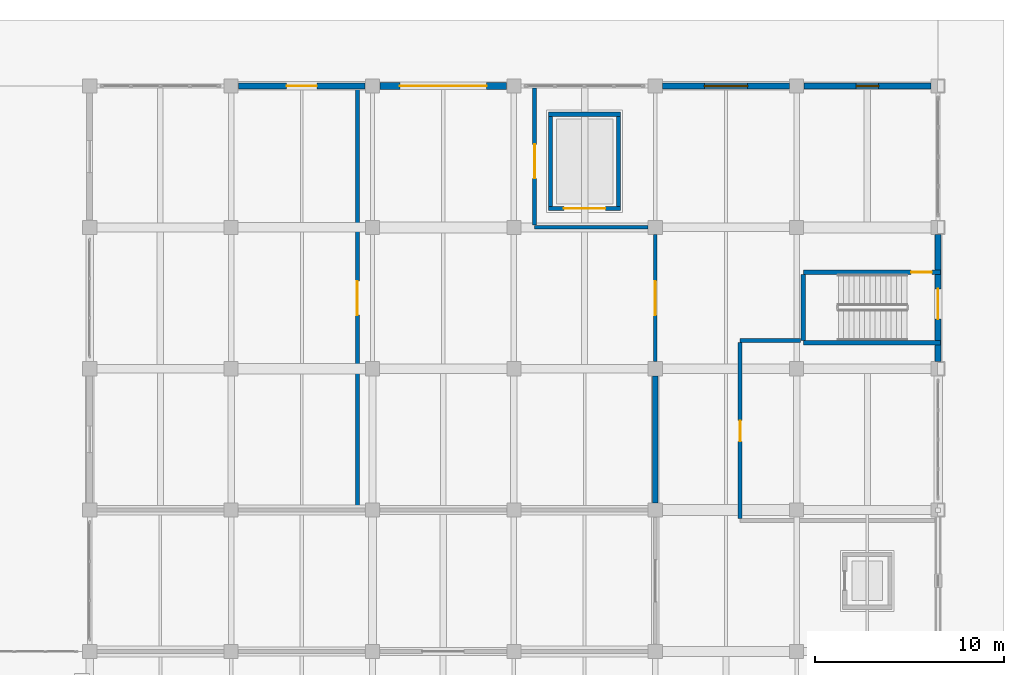
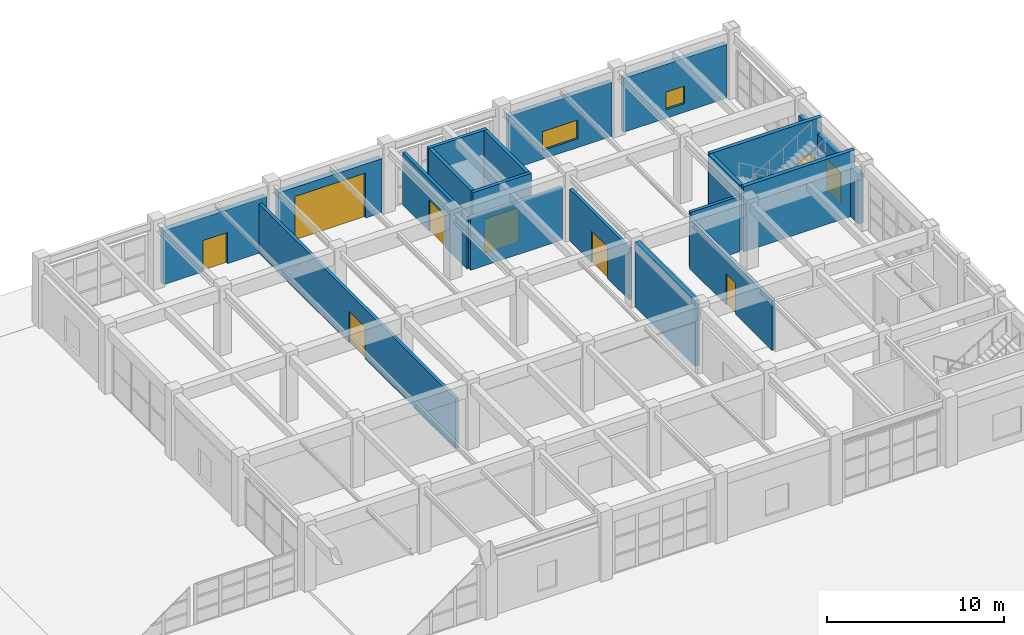
# One storey, part 96 of 122: 19 walls, 9 doors, 2 windows, 11 openings.
"""IFC4 building model written with IfcOpenShell, lengths in metres."""

from ifc_helpers import new_model, si_unit, direction, frame, frame_2d, origin, place, context, subcontext, project, spatial, rectangle, extrude, material, layer, layer_set, type_object, element, fill, save


model = new_model("IFC4")

# Units and contexts
model_context = context("Model", 3, precision=1e-05, world=origin(), true_north=direction((0.0, 1.0)))
body_context = subcontext(model_context, "Body", "Model", "MODEL_VIEW")
ifc_project = project(units=[si_unit("LENGTHUNIT", "METRE"), si_unit("AREAUNIT", "SQUARE_METRE"), si_unit("VOLUMEUNIT", "CUBIC_METRE"), si_unit("PLANEANGLEUNIT", "RADIAN"), si_unit("MASSUNIT", "GRAM", prefix="KILO")], contexts=[model_context])

# Site, building, storey
site_placement = place(None, origin())
site = spatial("IfcSite", under=ifc_project, at=site_placement, CompositionType="ELEMENT")
building_placement = place(site_placement, origin())
building = spatial("IfcBuilding", under=site, at=building_placement, Name="Qasida Concert Hall", CompositionType="ELEMENT")
storey_placement = place(building_placement, origin())
storey = spatial("IfcBuildingStorey", under=building, at=storey_placement, Name="L00", CompositionType="ELEMENT", Elevation=0.0)

# Wall, opening, door
ifc_material_1 = material(Name="Concrete C40/50", Category="concrete")
ifc_layer_1 = layer(ifc_material_1, 0.219970703125, Name="Concrete C40/50")
ifc_layer_set_1 = layer_set([ifc_layer_1], Name="Concrete C40/50")
wall_type_1 = type_object("IfcWallType", Name="WL-CW-220", PredefinedType="SOLIDWALL", material=ifc_layer_set_1)
wall_1_placement = place(storey_placement, frame((144.340087890625, 106.0, 0.0), z_axis=(0.0, 0.0, 1.0), x_axis=(1.0, 0.0, 0.0)))
wall_1 = element("IfcWall", 1, at=wall_1_placement, inside=storey, type_object=wall_type_1, Name="L00 LF-10 lift shaft wall S", PredefinedType="SOLIDWALL", context=body_context, shape_type="SweptSolid", body=[
    extrude(rectangle(XDim=3.81982421875, YDim=0.219970703125, at=frame_2d((1.909912109375, 0.0))), origin(), (0.0, 0.0, 1.0), 4.5),
])
opening_1_placement = place(wall_1_placement, frame((0.81005859375, 0.0, 0.0)))
opening_1 = element("IfcOpeningElement", 2, at=opening_1_placement, cuts=wall_1, Name="Opening LD-220", PredefinedType="OPENING", context=body_context, shape_type="SweptSolid", body=[
    extrude(rectangle(XDim=2.199951171875, YDim=2.35009765625, at=frame_2d((1.10009765625, 1.175048828125))), frame((0.0, 0.119873046875, 0.0), z_axis=(0.0, -1.0, 0.0), x_axis=(1.0, 0.0, 0.0)), (0.0, 0.0, 1.0), 0.239990234375),
])
ifc_material_2 = material(Name="Piano freight lift bi-parting landing door", Category="steel")
door_type_1 = type_object("IfcDoorType", Name="LD-220", OperationType="DOUBLE_DOOR_SLIDING", PredefinedType="DOOR", material=ifc_material_2)
door_1_placement = place(opening_1_placement, origin())
door_1 = element("IfcDoor", 3, at=door_1_placement, inside=storey, type_object=door_type_1, Name="Lift landing door LF-10 L00", OperationType="DOUBLE_DOOR_SLIDING", OverallHeight=2.35009765625, OverallWidth=2.199951171875, PredefinedType="DOOR", context=body_context, shape_type="SweptSolid", body=[
    extrude(rectangle(XDim=2.199951171875, YDim=2.35009765625, at=frame_2d((1.10009765625, 1.175048828125))), frame((0.0, 0.02490234375, 0.0), z_axis=(0.0, -1.0, 0.0), x_axis=(1.0, 0.0, 0.0)), (0.0, 0.0, 1.0), 0.050048828125),
])
fill(opening_1, door_1)

# Walls
wall_2_placement = place(storey_placement, frame((144.340087890625, 111.0, 0.0), z_axis=(0.0, 0.0, 1.0), x_axis=(1.0, 0.0, 0.0)))
element("IfcWall", 4, at=wall_2_placement, inside=storey, type_object=wall_type_1, Name="L00 LF-10 lift shaft wall N", PredefinedType="SOLIDWALL", context=body_context, shape_type="SweptSolid", body=[
    extrude(rectangle(XDim=3.81982421875, YDim=0.219970703125, at=frame_2d((1.909912109375, 0.0))), origin(), (0.0, 0.0, 1.0), 4.5),
])
for number, where, z_axis, x_axis, name in (
    (5, (144.449951171875, 106.110107421875, 0.0), (0.0, 0.0, 1.0), (0.0, 1.0, 0.0), "L00 LF-10 lift shaft wall W"),
    (6, (148.050048828125, 106.110107421875, 0.0), (0.0, 0.0, 1.0), (0.0, 1.0, 0.0), "L00 LF-10 lift shaft wall E"),
):
    element("IfcWall", number, at=place(storey_placement, frame(where, z_axis=z_axis, x_axis=x_axis)), inside=storey, type_object=wall_type_1, Name=name, PredefinedType="SOLIDWALL", context=body_context, shape_type="SweptSolid", body=[
        extrude(rectangle(XDim=4.77978515625, YDim=0.219970703125, at=frame_2d((2.389892578125, 0.0))), origin(), (0.0, 0.0, 1.0), 4.5),
    ])
ifc_layer_2 = layer(ifc_material_1, 0.25, Name="Concrete C40/50")
ifc_layer_set_2 = layer_set([ifc_layer_2], Name="Concrete C40/50")
wall_type_2 = type_object("IfcWallType", Name="WL-CW-250", PredefinedType="SOLIDWALL", material=ifc_layer_set_2)
wall_3_placement = place(storey_placement, frame((157.860107421875, 98.875, 0.0), z_axis=(0.0, 0.0, 1.0), x_axis=(1.0, 0.0, 0.0)))
element("IfcWall", 7, at=wall_3_placement, inside=storey, type_object=wall_type_2, Name="L00 ST-08 stairwell wall S", PredefinedType="SOLIDWALL", context=body_context, shape_type="SweptSolid", body=[
    extrude(rectangle(XDim=7.260009765625, YDim=0.25, at=frame_2d((3.6298828125, 0.0))), origin(), (0.0, 0.0, 1.0), 4.5),
])

# Wall, opening, door
wall_4_placement = place(storey_placement, frame((157.860107421875, 102.625, 0.0), z_axis=(0.0, 0.0, 1.0), x_axis=(1.0, 0.0, 0.0)))
wall_4 = element("IfcWall", 8, at=wall_4_placement, inside=storey, type_object=wall_type_2, Name="L00 ST-08 stairwell wall N", PredefinedType="SOLIDWALL", context=body_context, shape_type="SweptSolid", body=[
    extrude(rectangle(XDim=7.260009765625, YDim=0.25, at=frame_2d((3.6298828125, 0.0))), origin(), (0.0, 0.0, 1.0), 4.5),
])
opening_2_placement = place(wall_4_placement, frame((5.7099609375, 0.0, 0.0)))
opening_2 = element("IfcOpeningElement", 9, at=opening_2_placement, cuts=wall_4, Name="Opening FD-110", PredefinedType="OPENING", context=body_context, shape_type="SweptSolid", body=[
    extrude(rectangle(XDim=1.10009765625, YDim=2.14990234375, at=frame_2d((0.550048828125, 1.074951171875))), frame((0.0, 0.135009765625, 0.0), z_axis=(0.0, -1.0, 0.0), x_axis=(1.0, 0.0, 0.0)), (0.0, 0.0, 1.0), 0.27001953125),
])
ifc_material_3 = material(Name="Steel fire-rated stair/lobby door set", Category="steel")
door_type_2 = type_object("IfcDoorType", Name="FD-110", OperationType="NOTDEFINED", PredefinedType="DOOR", material=ifc_material_3)
door_2_placement = place(opening_2_placement, origin())
door_2 = element("IfcDoor", 10, at=door_2_placement, inside=storey, type_object=door_type_2, Name="L00 ST-08 rated stair door", OperationType="SINGLE_SWING_LEFT", OverallHeight=2.14990234375, OverallWidth=1.10009765625, PredefinedType="DOOR", context=body_context, shape_type="SweptSolid", body=[
    extrude(rectangle(XDim=1.10009765625, YDim=2.14990234375, at=frame_2d((0.550048828125, 1.074951171875))), frame((0.0, 0.02490234375, 0.0), z_axis=(0.0, -1.0, 0.0), x_axis=(1.0, 0.0, 0.0)), (0.0, 0.0, 1.0), 0.050048828125),
])
fill(opening_2, door_2)

# Wall
wall_5_placement = place(storey_placement, frame((157.85498046875, 99.0, 0.0), z_axis=(0.0, 0.0, 1.0), x_axis=(0.0, 1.0, 0.0)))
element("IfcWall", 11, at=wall_5_placement, inside=storey, type_object=wall_type_2, Name="L00 ST-08 stairwell wall W", PredefinedType="SOLIDWALL", context=body_context, shape_type="SweptSolid", body=[
    extrude(rectangle(XDim=3.5, YDim=0.25, at=frame_2d((1.75, 0.0))), origin(), (0.0, 0.0, 1.0), 4.5),
])

# Wall, opening, window
ifc_material_4 = material(Name="Precast concrete C40/50", Category="concrete")
ifc_layer_3 = layer(ifc_material_4, 0.320068359375, Name="Precast concrete C40/50")
ifc_layer_set_3 = layer_set([ifc_layer_3], Name="Precast concrete C40/50")
wall_type_3 = type_object("IfcWallType", Name="WL-EW-320", PredefinedType="SOLIDWALL", material=ifc_layer_set_3)
wall_6_placement = place(storey_placement, frame((150.385009765625, 112.5, 0.0), z_axis=(0.0, 0.0, 1.0), x_axis=(1.0, 0.0, 0.0)))
wall_6 = element("IfcWall", 12, at=wall_6_placement, inside=storey, type_object=wall_type_3, Name="L00 exterior wall EW-320 0178", PredefinedType="SOLIDWALL", context=body_context, shape_type="SweptSolid", body=[
    extrude(rectangle(XDim=6.72998046875, YDim=0.320068359375, at=frame_2d((3.364990234375, 0.0))), origin(), (0.0, 0.0, 1.0), 3.719970703125),
])
opening_3_placement = place(wall_6_placement, frame((2.215087890625, 0.0, 0.60009765625)))
opening_3 = element("IfcOpeningElement", 13, at=opening_3_placement, cuts=wall_6, Name="Opening WN-16", PredefinedType="OPENING", context=body_context, shape_type="SweptSolid", body=[
    extrude(rectangle(XDim=2.300048828125, YDim=1.300048828125, at=frame_2d((1.14990234375, 0.64990234375))), frame((0.0, 0.169921875, 0.0), z_axis=(0.0, -1.0, 0.0), x_axis=(1.0, 0.0, 0.0)), (0.0, 0.0, 1.0), 0.340087890625),
])
ifc_material_5 = material(Name="Bronze-anodized aluminium frame with acoustic low-E glazing", Category="aluminium")
window_type_1 = type_object("IfcWindowType", Name="WN-16", PartitioningType="SINGLE_PANEL", PredefinedType="WINDOW", material=ifc_material_5)
window_1_placement = place(opening_3_placement, origin())
window_1 = element("IfcWindow", 14, at=window_1_placement, inside=storey, type_object=window_type_1, Name="L00 window WN-16 0086", OverallHeight=1.300048828125, OverallWidth=2.300048828125, PartitioningType="SINGLE_PANEL", PredefinedType="WINDOW", context=body_context, shape_type="SweptSolid", body=[
    extrude(rectangle(XDim=2.300048828125, YDim=1.300048828125, at=frame_2d((1.14990234375, 0.64990234375))), frame((0.0, 0.030029296875, 0.0), z_axis=(0.0, -1.0, 0.0), x_axis=(1.0, 0.0, 0.0)), (0.0, 0.0, 1.0), 0.06005859375),
])
fill(opening_3, window_1)

wall_7_placement = place(storey_placement, frame((157.885009765625, 112.5, 0.0), z_axis=(0.0, 0.0, 1.0), x_axis=(1.0, 0.0, 0.0)))
wall_7 = element("IfcWall", 15, at=wall_7_placement, inside=storey, type_object=wall_type_3, Name="L00 exterior wall EW-320 0180", PredefinedType="SOLIDWALL", context=body_context, shape_type="SweptSolid", body=[
    extrude(rectangle(XDim=6.72998046875, YDim=0.320068359375, at=frame_2d((3.364990234375, 0.0))), origin(), (0.0, 0.0, 1.0), 3.719970703125),
])
opening_4_placement = place(wall_7_placement, frame((2.764892578125, 0.0, 0.60009765625)))
opening_4 = element("IfcOpeningElement", 16, at=opening_4_placement, cuts=wall_7, Name="Opening WN-17", PredefinedType="OPENING", context=body_context, shape_type="SweptSolid", body=[
    extrude(rectangle(XDim=1.199951171875, YDim=1.199951171875, at=frame_2d((0.60009765625, 0.60009765625))), frame((0.0, 0.169921875, 0.0), z_axis=(0.0, -1.0, 0.0), x_axis=(1.0, 0.0, 0.0)), (0.0, 0.0, 1.0), 0.340087890625),
])
window_type_2 = type_object("IfcWindowType", Name="WN-17", PartitioningType="SINGLE_PANEL", PredefinedType="WINDOW", material=ifc_material_5)
window_2_placement = place(opening_4_placement, origin())
window_2 = element("IfcWindow", 17, at=window_2_placement, inside=storey, type_object=window_type_2, Name="L00 window WN-17 0088", OverallHeight=1.199951171875, OverallWidth=1.199951171875, PartitioningType="SINGLE_PANEL", PredefinedType="WINDOW", context=body_context, shape_type="SweptSolid", body=[
    extrude(rectangle(XDim=1.199951171875, YDim=1.199951171875, at=frame_2d((0.60009765625, 0.60009765625))), frame((0.0, 0.030029296875, 0.0), z_axis=(0.0, -1.0, 0.0), x_axis=(1.0, 0.0, 0.0)), (0.0, 0.0, 1.0), 0.06005859375),
])
fill(opening_4, window_2)

# Wall, opening, door
ifc_layer_4 = layer(ifc_material_4, 0.340087890625, Name="Precast concrete C40/50")
ifc_layer_set_4 = layer_set([ifc_layer_4], Name="Precast concrete C40/50")
wall_type_4 = type_object("IfcWallType", Name="WL-EW-340", PredefinedType="SOLIDWALL", material=ifc_layer_set_4)
wall_8_placement = place(storey_placement, frame((127.885009765625, 112.5, 0.0), z_axis=(0.0, 0.0, 1.0), x_axis=(1.0, 0.0, 0.0)))
wall_8 = element("IfcWall", 18, at=wall_8_placement, inside=storey, type_object=wall_type_4, Name="L00 exterior wall EW-340 0175", PredefinedType="SOLIDWALL", context=body_context, shape_type="SweptSolid", body=[
    extrude(rectangle(XDim=6.72998046875, YDim=0.340087890625, at=frame_2d((3.364990234375, 0.0))), origin(), (0.0, 0.0, 1.0), 3.719970703125),
])
opening_5_placement = place(wall_8_placement, frame((2.56494140625, 0.0, 0.0)))
opening_5 = element("IfcOpeningElement", 19, at=opening_5_placement, cuts=wall_8, Name="Opening ED-160", PredefinedType="OPENING", context=body_context, shape_type="SweptSolid", body=[
    extrude(rectangle(XDim=1.60009765625, YDim=2.14990234375, at=frame_2d((0.800048828125, 1.074951171875))), frame((0.0, 0.179931640625, 0.0), z_axis=(0.0, -1.0, 0.0), x_axis=(1.0, 0.0, 0.0)), (0.0, 0.0, 1.0), 0.360107421875),
])
ifc_material_6 = material(Name="Patinated architectural bronze and laminated safety glass", Category="glass")
door_type_3 = type_object("IfcDoorType", Name="ED-160", OperationType="NOTDEFINED", PredefinedType="DOOR", material=ifc_material_6)
door_3_placement = place(opening_5_placement, origin())
door_3 = element("IfcDoor", 20, at=door_3_placement, inside=storey, type_object=door_type_3, Name="Stagehouse north pedestrian exit door", OperationType="SINGLE_SWING_LEFT", OverallHeight=2.14990234375, OverallWidth=1.60009765625, PredefinedType="DOOR", context=body_context, shape_type="SweptSolid", body=[
    extrude(rectangle(XDim=1.60009765625, YDim=2.14990234375, at=frame_2d((0.800048828125, 1.074951171875))), frame((0.0, 0.02490234375, 0.0), z_axis=(0.0, -1.0, 0.0), x_axis=(1.0, 0.0, 0.0)), (0.0, 0.0, 1.0), 0.050048828125),
])
fill(opening_5, door_3)

wall_9_placement = place(storey_placement, frame((165.0, 97.885009765625, 0.0), z_axis=(0.0, 0.0, 1.0), x_axis=(0.0, 1.0, 0.0)))
wall_9 = element("IfcWall", 21, at=wall_9_placement, inside=storey, type_object=wall_type_4, Name="L00 exterior wall EW-340 0184", PredefinedType="SOLIDWALL", context=body_context, shape_type="SweptSolid", body=[
    extrude(rectangle(XDim=6.72998046875, YDim=0.340087890625, at=frame_2d((3.364990234375, 0.0))), origin(), (0.0, 0.0, 1.0), 3.419921875),
])
opening_6_placement = place(wall_9_placement, frame((2.251953125, 0.0, 0.0)))
opening_6 = element("IfcOpeningElement", 22, at=opening_6_placement, cuts=wall_9, Name="Opening ED-160", PredefinedType="OPENING", context=body_context, shape_type="SweptSolid", body=[
    extrude(rectangle(XDim=1.60009765625, YDim=2.14990234375, at=frame_2d((0.800048828125, 1.074951171875))), frame((0.0, 0.179931640625, 0.0), z_axis=(0.0, -1.0, 0.0), x_axis=(1.0, 0.0, 0.0)), (0.0, 0.0, 1.0), 0.360107421875),
])
door_4_placement = place(opening_6_placement, frame((1.60009765625, 0.0, 0.0), z_axis=(0.0, 0.0, 1.0), x_axis=(-1.0, 0.0, 0.0)))
door_4 = element("IfcDoor", 23, at=door_4_placement, inside=storey, type_object=door_type_3, Name="Exit stair ST-08 final discharge door", OperationType="SINGLE_SWING_LEFT", OverallHeight=2.14990234375, OverallWidth=1.60009765625, PredefinedType="DOOR", context=body_context, shape_type="SweptSolid", body=[
    extrude(rectangle(XDim=1.60009765625, YDim=2.14990234375, at=frame_2d((0.800048828125, 1.074951171875))), frame((0.0, 0.02490234375, 0.0), z_axis=(0.0, -1.0, 0.0), x_axis=(1.0, 0.0, 0.0)), (0.0, 0.0, 1.0), 0.050048828125),
])
fill(opening_6, door_4)

ifc_layer_5 = layer(ifc_material_4, 0.360107421875, Name="Precast concrete C40/50")
ifc_layer_set_5 = layer_set([ifc_layer_5], Name="Precast concrete C40/50")
wall_type_5 = type_object("IfcWallType", Name="WL-EW-360", PredefinedType="SOLIDWALL", material=ifc_layer_set_5)
wall_10_placement = place(storey_placement, frame((135.385009765625, 112.5, 0.0), z_axis=(0.0, 0.0, 1.0), x_axis=(1.0, 0.0, 0.0)))
wall_10 = element("IfcWall", 24, at=wall_10_placement, inside=storey, type_object=wall_type_5, Name="L00 exterior wall EW-360 0176", PredefinedType="SOLIDWALL", context=body_context, shape_type="SweptSolid", body=[
    extrude(rectangle(XDim=6.72998046875, YDim=0.360107421875, at=frame_2d((3.364990234375, 0.0))), origin(), (0.0, 0.0, 1.0), 3.719970703125),
])
opening_7_placement = place(wall_10_placement, frame((1.06494140625, 0.0, 0.0)))
opening_7 = element("IfcOpeningElement", 25, at=opening_7_placement, cuts=wall_10, Name="Opening SH-480", PredefinedType="OPENING", context=body_context, shape_type="SweptSolid", body=[
    extrude(rectangle(XDim=4.60009765625, YDim=3.10009765625, at=frame_2d((2.300048828125, 1.550048828125))), frame((0.0, 0.18994140625, 0.0), z_axis=(0.0, -1.0, 0.0), x_axis=(1.0, 0.0, 0.0)), (0.0, 0.0, 1.0), 0.380126953125),
])
ifc_material_7 = material(Name="Insulated powder-coated galvanized steel", Category="steel")
door_type_4 = type_object("IfcDoorType", Name="SH-480", OperationType="ROLLINGUP", PredefinedType="GATE", material=ifc_material_7)
door_5_placement = place(opening_7_placement, origin())
door_5 = element("IfcDoor", 26, at=door_5_placement, inside=storey, type_object=door_type_4, Name="Orchestra truck loading dock shutter D-00-SH01", OperationType="ROLLINGUP", OverallHeight=3.10009765625, OverallWidth=4.60009765625, PredefinedType="GATE", context=body_context, shape_type="SweptSolid", body=[
    extrude(rectangle(XDim=4.60009765625, YDim=3.10009765625, at=frame_2d((2.300048828125, 1.550048828125))), frame((0.0, 0.02490234375, 0.0), z_axis=(0.0, -1.0, 0.0), x_axis=(1.0, 0.0, 0.0)), (0.0, 0.0, 1.0), 0.050048828125),
])
fill(opening_7, door_5)

# Wall
ifc_material_8 = material(Name="Acoustic gypsum block and mineral wool", Category="gypsum")
ifc_layer_6 = layer(ifc_material_8, 0.199951171875, Name="Acoustic gypsum block and mineral wool")
ifc_layer_set_6 = layer_set([ifc_layer_6], Name="Acoustic gypsum block and mineral wool")
wall_type_6 = type_object("IfcWallType", Name="WL-PW-200", PredefinedType="PARTITIONING", material=ifc_layer_set_6)
wall_11_placement = place(storey_placement, frame((143.60009765625, 105.0, 0.0), z_axis=(0.0, 0.0, 1.0), x_axis=(1.0, 0.0, 0.0)))
element("IfcWall", 27, at=wall_11_placement, inside=storey, type_object=wall_type_6, Name="L00 partition PW-200 0519", PredefinedType="PARTITIONING", context=body_context, shape_type="SweptSolid", body=[
    extrude(rectangle(XDim=6.010986328125, YDim=0.199951171875, at=frame_2d((3.00537109375, 0.0))), origin(), (0.0, 0.0, 1.0), 3.6201171875),
])

# Wall, opening, door
wall_12_placement = place(storey_placement, frame((143.60009765625, 105.114013671875, 0.0), z_axis=(0.0, 0.0, 1.0), x_axis=(0.0, 1.0, 0.0)))
wall_12 = element("IfcWall", 28, at=wall_12_placement, inside=storey, type_object=wall_type_6, Name="L00 partition PW-200 0520", PredefinedType="PARTITIONING", context=body_context, shape_type="SweptSolid", body=[
    extrude(rectangle(XDim=7.27392578125, YDim=0.199951171875, at=frame_2d((3.636962890625, 0.0))), origin(), (0.0, 0.0, 1.0), 3.6201171875),
])
opening_8_placement = place(wall_12_placement, frame((2.486083984375, 0.0, 0.0)))
opening_8 = element("IfcOpeningElement", 29, at=opening_8_placement, cuts=wall_12, Name="Opening FD-180", PredefinedType="OPENING", context=body_context, shape_type="SweptSolid", body=[
    extrude(rectangle(XDim=1.800048828125, YDim=2.179931640625, at=frame_2d((0.89990234375, 1.08984375))), frame((0.0, 0.10986328125, 0.0), z_axis=(0.0, -1.0, 0.0), x_axis=(1.0, 0.0, 0.0)), (0.0, 0.0, 1.0), 0.219970703125),
])
ifc_material_9 = material(Name="Double-leaf concourse fire door", Category="steel")
door_type_5 = type_object("IfcDoorType", Name="FD-180", OperationType="NOTDEFINED", PredefinedType="DOOR", material=ifc_material_9)
door_6_placement = place(opening_8_placement, origin())
door_6 = element("IfcDoor", 30, at=door_6_placement, inside=storey, type_object=door_type_5, Name="L00 L00 freight lift airlock door", OperationType="SINGLE_SWING_RIGHT", OverallHeight=2.179931640625, OverallWidth=1.800048828125, PredefinedType="DOOR", context=body_context, shape_type="SweptSolid", body=[
    extrude(rectangle(XDim=1.800048828125, YDim=2.179931640625, at=frame_2d((0.89990234375, 1.08984375))), frame((0.0, 0.02490234375, 0.0), z_axis=(0.0, -1.0, 0.0), x_axis=(1.0, 0.0, 0.0)), (0.0, 0.0, 1.0), 0.050048828125),
])
fill(opening_8, door_6)

# Wall
wall_13_placement = place(storey_placement, frame((154.5, 99.0, 0.0), z_axis=(0.0, 0.0, 1.0), x_axis=(1.0, 0.0, 0.0)))
element("IfcWall", 31, at=wall_13_placement, inside=storey, type_object=wall_type_6, Name="L00 partition PW-200 0524", PredefinedType="PARTITIONING", context=body_context, shape_type="SweptSolid", body=[
    extrude(rectangle(XDim=3.216064453125, YDim=0.199951171875, at=frame_2d((1.60791015625, 0.0))), origin(), (0.0, 0.0, 1.0), 3.820068359375),
])

# Wall, opening, door
wall_14_placement = place(storey_placement, frame((154.5, 89.56396484375, 0.0), z_axis=(0.0, 0.0, 1.0), x_axis=(0.0, 1.0, 0.0)))
wall_14 = element("IfcWall", 32, at=wall_14_placement, inside=storey, type_object=wall_type_6, Name="L00 partition PW-200 0525", PredefinedType="PARTITIONING", context=body_context, shape_type="SweptSolid", body=[
    extrude(rectangle(XDim=9.322021484375, YDim=0.199951171875, at=frame_2d((4.6611328125, 0.0))), origin(), (0.0, 0.0, 1.0), 3.419921875),
])
opening_9_placement = place(wall_14_placement, frame((4.0859375, 0.0, 0.0)))
opening_9 = element("IfcOpeningElement", 33, at=opening_9_placement, cuts=wall_14, Name="Opening FD-110", PredefinedType="OPENING", context=body_context, shape_type="SweptSolid", body=[
    extrude(rectangle(XDim=1.10009765625, YDim=2.14990234375, at=frame_2d((0.550048828125, 1.074951171875))), frame((0.0, 0.10986328125, 0.0), z_axis=(0.0, -1.0, 0.0), x_axis=(1.0, 0.0, 0.0)), (0.0, 0.0, 1.0), 0.219970703125),
])
door_7_placement = place(opening_9_placement, origin())
door_7 = element("IfcDoor", 34, at=door_7_placement, inside=storey, type_object=door_type_2, Name="L00 L00 stage dimmer rack room door", OperationType="SINGLE_SWING_LEFT", OverallHeight=2.14990234375, OverallWidth=1.10009765625, PredefinedType="DOOR", context=body_context, shape_type="SweptSolid", body=[
    extrude(rectangle(XDim=1.10009765625, YDim=2.14990234375, at=frame_2d((0.550048828125, 1.074951171875))), frame((0.0, 0.02490234375, 0.0), z_axis=(0.0, -1.0, 0.0), x_axis=(1.0, 0.0, 0.0)), (0.0, 0.0, 1.0), 0.050048828125),
])
fill(opening_9, door_7)

wall_15_placement = place(storey_placement, frame((134.199951171875, 90.114013671875, 0.0), z_axis=(0.0, 0.0, 1.0), x_axis=(0.0, 1.0, 0.0)))
wall_15 = element("IfcWall", 35, at=wall_15_placement, inside=storey, type_object=wall_type_6, Name="L00 partition PW-200 0555", PredefinedType="PARTITIONING", context=body_context, shape_type="SweptSolid", body=[
    extrude(rectangle(XDim=22.201904296875, YDim=0.199951171875, at=frame_2d((11.10107421875, 0.0))), origin(), (0.0, 0.0, 1.0), 3.419921875),
])
opening_10_placement = place(wall_15_placement, frame((10.236083984375, 0.0, 0.0)))
opening_10 = element("IfcOpeningElement", 36, at=opening_10_placement, cuts=wall_15, Name="Opening FD-180", PredefinedType="OPENING", context=body_context, shape_type="SweptSolid", body=[
    extrude(rectangle(XDim=1.800048828125, YDim=2.179931640625, at=frame_2d((0.89990234375, 1.08984375))), frame((0.0, 0.10986328125, 0.0), z_axis=(0.0, -1.0, 0.0), x_axis=(1.0, 0.0, 0.0)), (0.0, 0.0, 1.0), 0.219970703125),
])
door_8_placement = place(opening_10_placement, origin())
door_8 = element("IfcDoor", 37, at=door_8_placement, inside=storey, type_object=door_type_5, Name="L00 Scene dock airlock door", OperationType="SINGLE_SWING_LEFT", OverallHeight=2.179931640625, OverallWidth=1.800048828125, PredefinedType="DOOR", context=body_context, shape_type="SweptSolid", body=[
    extrude(rectangle(XDim=1.800048828125, YDim=2.179931640625, at=frame_2d((0.89990234375, 1.08984375))), frame((0.0, 0.02490234375, 0.0), z_axis=(0.0, -1.0, 0.0), x_axis=(1.0, 0.0, 0.0)), (0.0, 0.0, 1.0), 0.050048828125),
])
fill(opening_10, door_8)

wall_16_placement = place(storey_placement, frame((150.0, 97.888916015625, 0.0), z_axis=(0.0, 0.0, 1.0), x_axis=(0.0, 1.0, 0.0)))
wall_16 = element("IfcWall", 38, at=wall_16_placement, inside=storey, type_object=wall_type_6, Name="L00 partition PW-200 0557", PredefinedType="PARTITIONING", context=body_context, shape_type="SweptSolid", body=[
    extrude(rectangle(XDim=6.72216796875, YDim=0.199951171875, at=frame_2d((3.361083984375, 0.0))), origin(), (0.0, 0.0, 1.0), 3.570068359375),
])
opening_11_placement = place(wall_16_placement, frame((2.4609375, 0.0, 0.0)))
opening_11 = element("IfcOpeningElement", 39, at=opening_11_placement, cuts=wall_16, Name="Opening FD-180", PredefinedType="OPENING", context=body_context, shape_type="SweptSolid", body=[
    extrude(rectangle(XDim=1.800048828125, YDim=2.179931640625, at=frame_2d((0.89990234375, 1.08984375))), frame((0.0, 0.10986328125, 0.0), z_axis=(0.0, -1.0, 0.0), x_axis=(1.0, 0.0, 0.0)), (0.0, 0.0, 1.0), 0.219970703125),
])
door_9_placement = place(opening_11_placement, origin())
door_9 = element("IfcDoor", 40, at=door_9_placement, inside=storey, type_object=door_type_5, Name="L00 Truck dock backstage door", OperationType="SINGLE_SWING_LEFT", OverallHeight=2.179931640625, OverallWidth=1.800048828125, PredefinedType="DOOR", context=body_context, shape_type="SweptSolid", body=[
    extrude(rectangle(XDim=1.800048828125, YDim=2.179931640625, at=frame_2d((0.89990234375, 1.08984375))), frame((0.0, 0.02490234375, 0.0), z_axis=(0.0, -1.0, 0.0), x_axis=(1.0, 0.0, 0.0)), (0.0, 0.0, 1.0), 0.050048828125),
])
fill(opening_11, door_9)

# Wall
ifc_layer_7 = layer(ifc_material_1, 0.300048828125, Name="Concrete C40/50")
ifc_layer_set_7 = layer_set([ifc_layer_7], Name="Concrete C40/50")
wall_type_7 = type_object("IfcWallType", Name="WL-SW-300", PredefinedType="SHEAR", material=ifc_layer_set_7)
wall_17_placement = place(storey_placement, frame((150.0, 90.375, 0.0), z_axis=(0.0, 0.0, 1.0), x_axis=(0.0, 1.0, 0.0)))
element("IfcWall", 41, at=wall_17_placement, inside=storey, type_object=wall_type_7, Name="L00 V4 rehearsal shear wall 0013", PredefinedType="SHEAR", context=body_context, shape_type="SweptSolid", body=[
    extrude(rectangle(XDim=6.75, YDim=0.300048828125, at=frame_2d((3.375, 0.0))), origin(), (0.0, 0.0, 1.0), 4.5),
])

save(model, "model.ifc")
